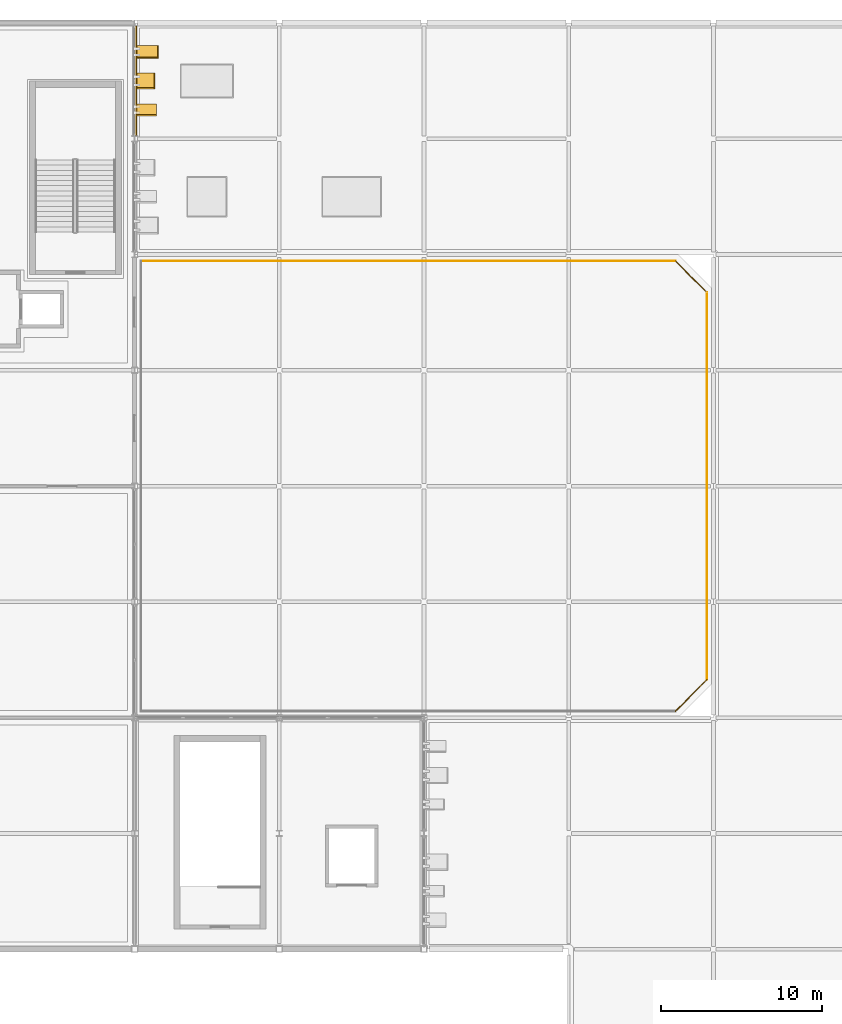
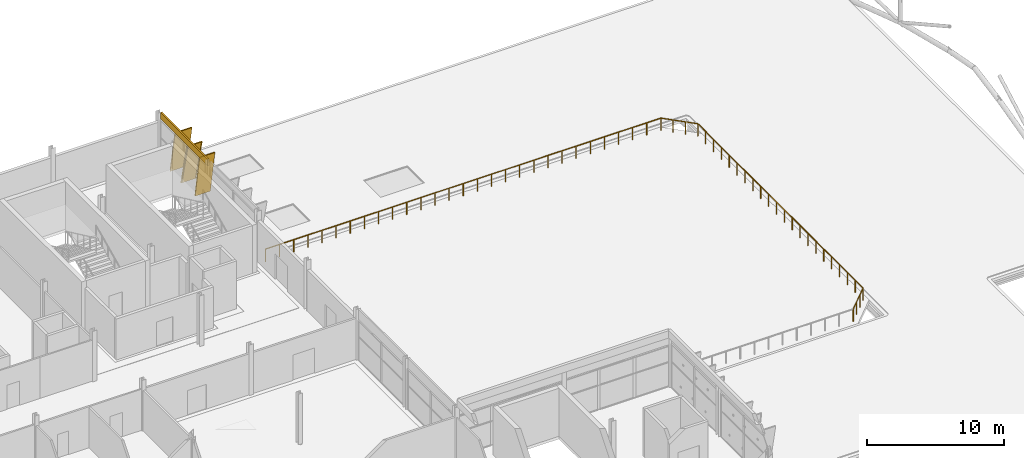
# One storey, part 78 of 78: 4 coverings, 4 railings, 3 shading devices.
"""IFC4 building model written with IfcOpenShell, lengths in metres."""

from ifc_helpers import new_model, si_unit, direction, frame, origin, origin_2d, place, context, subcontext, project, spatial, rectangle, circle, extrude, material, layer, layer_set, material_profile, profile_set, type_object, element, save


model = new_model("IFC4")

# Units and contexts
model_context = context("Model", 3, precision=1e-05, world=origin(), true_north=direction((0.0, 1.0)))
body_context = subcontext(model_context, "Body", "Model", "MODEL_VIEW")
ifc_project = project(units=[si_unit("LENGTHUNIT", "METRE"), si_unit("AREAUNIT", "SQUARE_METRE"), si_unit("VOLUMEUNIT", "CUBIC_METRE"), si_unit("PLANEANGLEUNIT", "RADIAN"), si_unit("MASSUNIT", "GRAM", prefix="KILO")], contexts=[model_context])

# Site, building, storey
site_placement = place(None, origin())
site = spatial("IfcSite", under=ifc_project, at=site_placement, CompositionType="ELEMENT")
building_placement = place(site_placement, origin())
building = spatial("IfcBuilding", under=site, at=building_placement, Name="Celestram Park Convention Centre", CompositionType="ELEMENT")
storey_placement = place(building_placement, frame((0.0, 0.0, 19.800048828125)))
storey = spatial("IfcBuildingStorey", under=building, at=storey_placement, Name="L04", CompositionType="ELEMENT", Elevation=19.800048828125)

# Coverings
ifc_material_1 = material(Name="Anodised Bronze Aluminium Spandrel Cladding", Category="aluminium")
ifc_layer_1 = layer(ifc_material_1, 0.050048828125)
ifc_layer_set_1 = layer_set([ifc_layer_1], Name="Anodised Bronze Aluminium Spandrel Cladding")
covering_type_1 = type_object("IfcCoveringType", Name="ARC-COV-CLD060", PredefinedType="CLADDING", material=ifc_layer_set_1)
covering_1_placement = place(storey_placement, frame((99.080078125, 162.0, 3.923828125), z_axis=(0.0, 0.0, 1.0), x_axis=(0.0, -1.0, 0.0)))
element("IfcCovering", 1, at=covering_1_placement, inside=storey, type_object=covering_type_1, Name="Bronze spandrel cladding CL-L04-237", PredefinedType="CLADDING", context=body_context, shape_type="SweptSolid", body=[
    extrude(rectangle(XDim=6.847900390625, YDim=0.1201171875, at=origin_2d()), origin(), (0.0, 0.0, 1.0), 0.575927734375),
])
ifc_material_2 = material(Name="Timber-Toned Anodised Aluminium Alloy 6063-T6", Category="wood")
ifc_material_profile_1 = material_profile(ifc_material_2, rectangle(XDim=1.1201171875, YDim=0.090087890625, at=origin_2d()), Name="REED1120X90")
ifc_profile_set_1 = profile_set([ifc_material_profile_1], Name="Timber-Toned Anodised Aluminium Alloy 6063-T6")
covering_type_2 = type_object("IfcCoveringType", Name="ARC-COV-FIN1120", PredefinedType="CLADDING", material=ifc_profile_set_1)
covering_2_placement = place(storey_placement, frame((99.639892578125, 162.451171875, 0.057861328125), z_axis=(0.0, -0.231722237908, 0.972781992257), x_axis=(1.0, 0.0, 0.0)))
element("IfcCovering", 2, at=covering_2_placement, inside=storey, type_object=covering_type_2, Name="Leaning timber-toned reed fin RFN-L04-0754", PredefinedType="CLADDING", context=body_context, shape_type="SweptSolid", body=[
    extrude(rectangle(XDim=1.1201171875, YDim=0.090087890625, at=origin_2d()), origin(), (0.0, 0.0, 1.0), 3.89404296875),
])
ifc_material_profile_2 = material_profile(ifc_material_2, rectangle(XDim=1.280029296875, YDim=0.090087890625, at=origin_2d()), Name="REED1280X90")
ifc_profile_set_2 = profile_set([ifc_material_profile_2], Name="Timber-Toned Anodised Aluminium Alloy 6063-T6")
covering_type_3 = type_object("IfcCoveringType", Name="ARC-COV-FIN1280", PredefinedType="CLADDING", material=ifc_profile_set_2)
covering_3_placement = place(storey_placement, frame((99.719970703125, 160.531494140625, 0.033447265625), z_axis=(0.0, -0.170221839846, 0.985405766798), x_axis=(1.0, 0.0, 0.0)))
element("IfcCovering", 3, at=covering_3_placement, inside=storey, type_object=covering_type_3, Name="Leaning timber-toned reed fin RFN-L04-0755", PredefinedType="CLADDING", context=body_context, shape_type="SweptSolid", body=[
    extrude(rectangle(XDim=1.280029296875, YDim=0.090087890625, at=origin_2d()), origin(), (0.0, 0.0, 1.0), 3.89404296875),
])
ifc_material_profile_3 = material_profile(ifc_material_2, rectangle(XDim=1.419921875, YDim=0.090087890625, at=origin_2d()), Name="REED1420X90")
ifc_profile_set_3 = profile_set([ifc_material_profile_3], Name="Timber-Toned Anodised Aluminium Alloy 6063-T6")
covering_type_4 = type_object("IfcCoveringType", Name="ARC-COV-FIN1420", PredefinedType="CLADDING", material=ifc_profile_set_3)
covering_4_placement = place(storey_placement, frame((99.7900390625, 164.151611328125, 0.036865234375), z_axis=(0.0, -0.180562402366, 0.983563530664), x_axis=(1.0, 0.0, 0.0)))
element("IfcCovering", 4, at=covering_4_placement, inside=storey, type_object=covering_type_4, Name="Leaning timber-toned reed fin RFN-L04-0753", PredefinedType="CLADDING", context=body_context, shape_type="SweptSolid", body=[
    extrude(rectangle(XDim=1.419921875, YDim=0.090087890625, at=origin_2d()), origin(), (0.0, 0.0, 1.0), 3.89404296875),
])

# Shading devices
ifc_material_3 = material(Name="Anodised Bronze Aluminium Alloy 6063-T6", Category="aluminium")
ifc_material_profile_4 = material_profile(ifc_material_3, rectangle(XDim=1.280029296875, YDim=0.080078125, at=origin_2d()), Name="FIN1280X80")
ifc_profile_set_4 = profile_set([ifc_material_profile_4], Name="Anodised Bronze Aluminium Alloy 6063-T6")
shading_device_type = type_object("IfcShadingDeviceType", Name="ARC-FIN-BZ1280", PredefinedType="USERDEFINED", material=ifc_profile_set_4)
for number, where, z_axis, x_axis, name in (
    (5, (99.7900390625, 164.151611328125, 0.036865234375), (0.0, -0.180562402366, 0.983563530664), (1.0, 0.0, 0.0), "Expressive solar fin FN-L04-0753"),
    (6, (99.639892578125, 162.451171875, 0.057861328125), (0.0, -0.231722237908, 0.972781992257), (1.0, 0.0, 0.0), "Expressive solar fin FN-L04-0754"),
    (7, (99.719970703125, 160.531494140625, 0.033447265625), (0.0, -0.170221839846, 0.985405766798), (1.0, 0.0, 0.0), "Expressive solar fin FN-L04-0755"),
):
    element("IfcShadingDevice", number, at=place(storey_placement, frame(where, z_axis=z_axis, x_axis=x_axis)), inside=storey, type_object=shading_device_type, Name=name, ObjectType="SOLAR_FIN", PredefinedType="USERDEFINED", context=body_context, shape_type="SweptSolid", body=[
        extrude(rectangle(XDim=1.280029296875, YDim=0.080078125, at=origin_2d()), origin(), (0.0, 0.0, 1.0), 3.89404296875),
    ])

# Railings
ifc_material_4 = material(Name="Stainless Steel AISI 316L & Laminated Glass", Category="steel")
ifc_layer_2 = layer(ifc_material_4, 0.06005859375)
ifc_layer_set_2 = layer_set([ifc_layer_2], Name="Stainless Steel AISI 316L & Laminated Glass")
railing_type = type_object("IfcRailingType", Name="ARC-RL-GRD1120", PredefinedType="GUARDRAIL", material=ifc_layer_set_2)
railing_1_placement = place(storey_placement, frame((99.39990234375, 150.800048828125, 0.0)))
element("IfcRailing", 8, at=railing_1_placement, inside=storey, type_object=railing_type, Name="Terrace perimeter safety guard RL-L04-TG008", PredefinedType="GUARDRAIL", context=body_context, shape_type="SweptSolid", body=[
    extrude(circle(Radius=0.02392578125, at=origin_2d()), frame((0.0, 0.0, 1.09619140625), z_axis=(1.0, 0.0, 0.0), x_axis=(0.0, 1.0, 0.0)), (0.0, 0.0, 1.0), 33.234375),
    extrude(circle(Radius=0.02099609375, at=origin_2d()), origin(), (0.0, 0.0, 1.0), 1.072021484375),
    extrude(circle(Radius=0.02099609375, at=origin_2d()), frame((1.18701171875, 0.0, 0.0)), (0.0, 0.0, 1.0), 1.072021484375),
    extrude(circle(Radius=0.02099609375, at=origin_2d()), frame((2.373779296875, 0.0, 0.0)), (0.0, 0.0, 1.0), 1.072021484375),
    extrude(circle(Radius=0.02099609375, at=origin_2d()), frame((3.560791015625, 0.0, 0.0)), (0.0, 0.0, 1.0), 1.072021484375),
    extrude(circle(Radius=0.02099609375, at=origin_2d()), frame((4.747802734375, 0.0, 0.0)), (0.0, 0.0, 1.0), 1.072021484375),
    extrude(circle(Radius=0.02099609375, at=origin_2d()), frame((5.934814453125, 0.0, 0.0)), (0.0, 0.0, 1.0), 1.072021484375),
    extrude(circle(Radius=0.02099609375, at=origin_2d()), frame((7.12158203125, 0.0, 0.0)), (0.0, 0.0, 1.0), 1.072021484375),
    extrude(circle(Radius=0.02099609375, at=origin_2d()), frame((8.30859375, 0.0, 0.0)), (0.0, 0.0, 1.0), 1.072021484375),
    extrude(circle(Radius=0.02099609375, at=origin_2d()), frame((9.49560546875, 0.0, 0.0)), (0.0, 0.0, 1.0), 1.072021484375),
    extrude(circle(Radius=0.02099609375, at=origin_2d()), frame((10.682373046875, 0.0, 0.0)), (0.0, 0.0, 1.0), 1.072021484375),
    extrude(circle(Radius=0.02099609375, at=origin_2d()), frame((11.869384765625, 0.0, 0.0)), (0.0, 0.0, 1.0), 1.072021484375),
    extrude(circle(Radius=0.02099609375, at=origin_2d()), frame((13.056396484375, 0.0, 0.0)), (0.0, 0.0, 1.0), 1.072021484375),
    extrude(circle(Radius=0.02099609375, at=origin_2d()), frame((14.243408203125, 0.0, 0.0)), (0.0, 0.0, 1.0), 1.072021484375),
    extrude(circle(Radius=0.02099609375, at=origin_2d()), frame((15.43017578125, 0.0, 0.0)), (0.0, 0.0, 1.0), 1.072021484375),
    extrude(circle(Radius=0.02099609375, at=origin_2d()), frame((16.6171875, 0.0, 0.0)), (0.0, 0.0, 1.0), 1.072021484375),
    extrude(circle(Radius=0.02099609375, at=origin_2d()), frame((17.80419921875, 0.0, 0.0)), (0.0, 0.0, 1.0), 1.072021484375),
    extrude(circle(Radius=0.02099609375, at=origin_2d()), frame((18.990966796875, 0.0, 0.0)), (0.0, 0.0, 1.0), 1.072021484375),
    extrude(circle(Radius=0.02099609375, at=origin_2d()), frame((20.177978515625, 0.0, 0.0)), (0.0, 0.0, 1.0), 1.072021484375),
    extrude(circle(Radius=0.02099609375, at=origin_2d()), frame((21.364990234375, 0.0, 0.0)), (0.0, 0.0, 1.0), 1.072021484375),
    extrude(circle(Radius=0.02099609375, at=origin_2d()), frame((22.552001953125, 0.0, 0.0)), (0.0, 0.0, 1.0), 1.072021484375),
    extrude(circle(Radius=0.02099609375, at=origin_2d()), frame((23.73876953125, 0.0, 0.0)), (0.0, 0.0, 1.0), 1.072021484375),
    extrude(circle(Radius=0.02099609375, at=origin_2d()), frame((24.92578125, 0.0, 0.0)), (0.0, 0.0, 1.0), 1.072021484375),
    extrude(circle(Radius=0.02099609375, at=origin_2d()), frame((26.11279296875, 0.0, 0.0)), (0.0, 0.0, 1.0), 1.072021484375),
    extrude(circle(Radius=0.02099609375, at=origin_2d()), frame((27.299560546875, 0.0, 0.0)), (0.0, 0.0, 1.0), 1.072021484375),
    extrude(circle(Radius=0.02099609375, at=origin_2d()), frame((28.486572265625, 0.0, 0.0)), (0.0, 0.0, 1.0), 1.072021484375),
    extrude(circle(Radius=0.02099609375, at=origin_2d()), frame((29.673583984375, 0.0, 0.0)), (0.0, 0.0, 1.0), 1.072021484375),
    extrude(circle(Radius=0.02099609375, at=origin_2d()), frame((30.860595703125, 0.0, 0.0)), (0.0, 0.0, 1.0), 1.072021484375),
    extrude(circle(Radius=0.02099609375, at=origin_2d()), frame((32.04736328125, 0.0, 0.0)), (0.0, 0.0, 1.0), 1.072021484375),
    extrude(circle(Radius=0.02099609375, at=origin_2d()), frame((33.234375, 0.0, 0.0)), (0.0, 0.0, 1.0), 1.072021484375),
])
railing_2_placement = place(storey_placement, frame((132.63427734375, 150.800048828125, 0.0)))
element("IfcRailing", 9, at=railing_2_placement, inside=storey, type_object=railing_type, Name="Terrace perimeter safety guard RL-L04-TG009", PredefinedType="GUARDRAIL", context=body_context, shape_type="SweptSolid", body=[
    extrude(circle(Radius=0.02392578125, at=origin_2d()), frame((0.0, 0.0, 1.09619140625), z_axis=(0.707106781187, -0.707106781187, 0.0), x_axis=(0.707106781187, 0.707106781187, 0.0)), (0.0, 0.0, 1.0), 2.780029296875),
    extrude(circle(Radius=0.02099609375, at=origin_2d()), origin(), (0.0, 0.0, 1.0), 1.072021484375),
    extrude(circle(Radius=0.02099609375, at=origin_2d()), frame((0.6552734375, -0.6552734375, 0.0)), (0.0, 0.0, 1.0), 1.072021484375),
    extrude(circle(Radius=0.02099609375, at=origin_2d()), frame((1.310546875, -1.310546875, 0.0)), (0.0, 0.0, 1.0), 1.072021484375),
    extrude(circle(Radius=0.02099609375, at=origin_2d()), frame((1.9658203125, -1.9658203125, 0.0)), (0.0, 0.0, 1.0), 1.072021484375),
])
railing_3_placement = place(storey_placement, frame((134.60009765625, 148.834228515625, 0.0)))
element("IfcRailing", 10, at=railing_3_placement, inside=storey, type_object=railing_type, Name="Terrace perimeter safety guard RL-L04-TG010", PredefinedType="GUARDRAIL", context=body_context, shape_type="SweptSolid", body=[
    extrude(circle(Radius=0.02392578125, at=origin_2d()), frame((0.0, 0.0, 1.09619140625), z_axis=(0.0, -1.0, 0.0), x_axis=(1.0, 0.0, 0.0)), (0.0, 0.0, 1.0), 24.068603515625),
    extrude(circle(Radius=0.02099609375, at=origin_2d()), origin(), (0.0, 0.0, 1.0), 1.072021484375),
    extrude(circle(Radius=0.02099609375, at=origin_2d()), frame((0.0, -1.146240234375, 0.0)), (0.0, 0.0, 1.0), 1.072021484375),
    extrude(circle(Radius=0.02099609375, at=origin_2d()), frame((0.0, -2.292236328125, 0.0)), (0.0, 0.0, 1.0), 1.072021484375),
    extrude(circle(Radius=0.02099609375, at=origin_2d()), frame((0.0, -3.4384765625, 0.0)), (0.0, 0.0, 1.0), 1.072021484375),
    extrude(circle(Radius=0.02099609375, at=origin_2d()), frame((0.0, -4.58447265625, 0.0)), (0.0, 0.0, 1.0), 1.072021484375),
    extrude(circle(Radius=0.02099609375, at=origin_2d()), frame((0.0, -5.730712890625, 0.0)), (0.0, 0.0, 1.0), 1.072021484375),
    extrude(circle(Radius=0.02099609375, at=origin_2d()), frame((0.0, -6.876708984375, 0.0)), (0.0, 0.0, 1.0), 1.072021484375),
    extrude(circle(Radius=0.02099609375, at=origin_2d()), frame((0.0, -8.02294921875, 0.0)), (0.0, 0.0, 1.0), 1.072021484375),
    extrude(circle(Radius=0.02099609375, at=origin_2d()), frame((0.0, -9.1689453125, 0.0)), (0.0, 0.0, 1.0), 1.072021484375),
    extrude(circle(Radius=0.02099609375, at=origin_2d()), frame((0.0, -10.315185546875, 0.0)), (0.0, 0.0, 1.0), 1.072021484375),
    extrude(circle(Radius=0.02099609375, at=origin_2d()), frame((0.0, -11.461181640625, 0.0)), (0.0, 0.0, 1.0), 1.072021484375),
    extrude(circle(Radius=0.02099609375, at=origin_2d()), frame((0.0, -12.607421875, 0.0)), (0.0, 0.0, 1.0), 1.072021484375),
    extrude(circle(Radius=0.02099609375, at=origin_2d()), frame((0.0, -13.75341796875, 0.0)), (0.0, 0.0, 1.0), 1.072021484375),
    extrude(circle(Radius=0.02099609375, at=origin_2d()), frame((0.0, -14.899658203125, 0.0)), (0.0, 0.0, 1.0), 1.072021484375),
    extrude(circle(Radius=0.02099609375, at=origin_2d()), frame((0.0, -16.045654296875, 0.0)), (0.0, 0.0, 1.0), 1.072021484375),
    extrude(circle(Radius=0.02099609375, at=origin_2d()), frame((0.0, -17.19189453125, 0.0)), (0.0, 0.0, 1.0), 1.072021484375),
    extrude(circle(Radius=0.02099609375, at=origin_2d()), frame((0.0, -18.337890625, 0.0)), (0.0, 0.0, 1.0), 1.072021484375),
    extrude(circle(Radius=0.02099609375, at=origin_2d()), frame((0.0, -19.484130859375, 0.0)), (0.0, 0.0, 1.0), 1.072021484375),
    extrude(circle(Radius=0.02099609375, at=origin_2d()), frame((0.0, -20.630126953125, 0.0)), (0.0, 0.0, 1.0), 1.072021484375),
    extrude(circle(Radius=0.02099609375, at=origin_2d()), frame((0.0, -21.7763671875, 0.0)), (0.0, 0.0, 1.0), 1.072021484375),
    extrude(circle(Radius=0.02099609375, at=origin_2d()), frame((0.0, -22.92236328125, 0.0)), (0.0, 0.0, 1.0), 1.072021484375),
    extrude(circle(Radius=0.02099609375, at=origin_2d()), frame((0.0, -24.068603515625, 0.0)), (0.0, 0.0, 1.0), 1.072021484375),
])
railing_4_placement = place(storey_placement, frame((134.60009765625, 124.765625, 0.0)))
element("IfcRailing", 11, at=railing_4_placement, inside=storey, type_object=railing_type, Name="Terrace perimeter safety guard RL-L04-TG011", PredefinedType="GUARDRAIL", context=body_context, shape_type="SweptSolid", body=[
    extrude(circle(Radius=0.02392578125, at=origin_2d()), frame((0.0, 0.0, 1.09619140625), z_axis=(-0.707150691317, -0.70706286833, 0.0), x_axis=(0.70706286833, -0.707150691317, 0.0)), (0.0, 0.0, 1.0), 2.780029296875),
    extrude(circle(Radius=0.02099609375, at=origin_2d()), origin(), (0.0, 0.0, 1.0), 1.072021484375),
    extrude(circle(Radius=0.02099609375, at=origin_2d()), frame((-0.6552734375, -0.6552734375, 0.0)), (0.0, 0.0, 1.0), 1.072021484375),
    extrude(circle(Radius=0.02099609375, at=origin_2d()), frame((-1.310546875, -1.310302734375, 0.0)), (0.0, 0.0, 1.0), 1.072021484375),
    extrude(circle(Radius=0.02099609375, at=origin_2d()), frame((-1.9658203125, -1.965576171875, 0.0)), (0.0, 0.0, 1.0), 1.072021484375),
])

save(model, "model.ifc")
